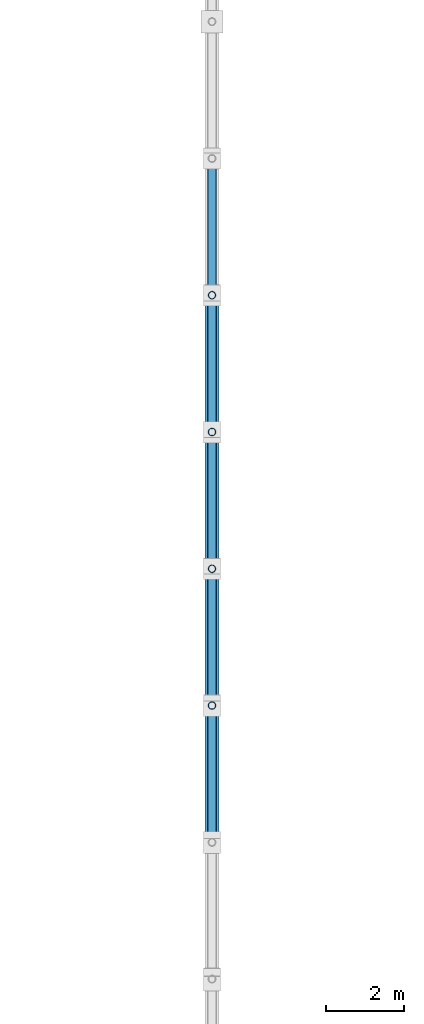
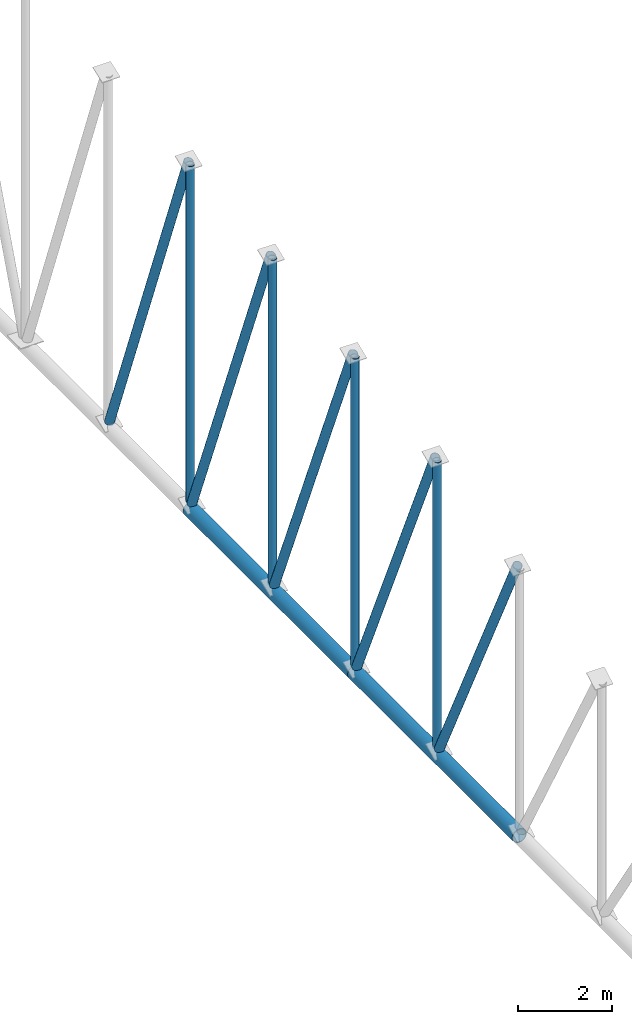
# One storey, part 70 of 196: 11 members.
"""IFC4 building model written with IfcOpenShell, lengths in metres."""

import ifcopenshell
import ifcopenshell.guid

model = None  # the IFC model being written
_history = None  # IfcOwnerHistory: only IFC2X3 demands one
_inside = {}  # id of a spatial element -> (the spatial element, [elements in it])
_under = {}  # id of a project, library or spatial element -> (it, [spatial elements below it])
_declared = {}  # id of a project -> (the project, [libraries it declares])
_typed = {}  # id of a type object -> (the type object, [elements of that type])
_made_of = {}  # id of a material, layer set ... -> (it, [elements and type objects made of it])


def new_model(schema):
    """Start an empty IFC model of exactly this schema.

    Asked for "IFC4X3", IfcOpenShell would pick the latest addendum, in which some entities
    have other attributes; the version numbers below select the first issue.
    IFC2X3 requires an IfcOwnerHistory on every rooted entity: one is made here for all.
    """
    global model, _history
    if schema == "IFC4X3":
        model = ifcopenshell.file(schema_version=(4, 3, 0, 0))
    else:
        model = ifcopenshell.file(schema=schema)
    _inside.clear()
    _under.clear()
    _declared.clear()
    _typed.clear()
    _made_of.clear()
    _history = None
    if model.schema == "IFC2X3":
        org = make("IfcOrganization", Name="unknown")
        user = make(
            "IfcPersonAndOrganization",
            ThePerson=make("IfcPerson", FamilyName="unknown"),
            TheOrganization=org,
        )
        app = make(
            "IfcApplication",
            ApplicationDeveloper=org,
            Version="unknown",
            ApplicationFullName="unknown",
            ApplicationIdentifier="unknown",
        )
        _history = make(
            "IfcOwnerHistory",
            OwningUser=user,
            OwningApplication=app,
            ChangeAction="ADDED",
            CreationDate=0,
        )
    return model


def make(cls, **values):
    """One entity of the class cls with the attributes given. An attribute that is None is left unset."""
    return model.create_entity(
        cls, **{name: value for name, value in values.items() if value is not None}
    )


def rooted(cls, **values):
    """An entity with a GlobalId (a new one), such as an element, a storey or a relation."""
    return make(cls, GlobalId=ifcopenshell.guid.new(), OwnerHistory=_history, **values)


def si_unit(unit_type, name, prefix=None):
    """IfcSIUnit, for example si_unit("LENGTHUNIT", "METRE", prefix="MILLI")."""
    return make("IfcSIUnit", UnitType=unit_type, Prefix=prefix, Name=name)


def assignment(units):
    """IfcUnitAssignment: the units of a project."""
    return None if units is None else make("IfcUnitAssignment", Units=units)


def point(xyz):
    """IfcCartesianPoint."""
    return None if xyz is None else make("IfcCartesianPoint", Coordinates=xyz)


def direction(xyz):
    """IfcDirection."""
    return None if xyz is None else make("IfcDirection", DirectionRatios=xyz)


def frame(location, z_axis=None, x_axis=None):
    """IfcAxis2Placement3D, a coordinate frame: its origin and axes. An axis left out is left unset."""
    return make(
        "IfcAxis2Placement3D",
        Location=point(location),
        Axis=direction(z_axis),
        RefDirection=direction(x_axis),
    )


def frame_2d(location, x_axis=None):
    """IfcAxis2Placement2D, a coordinate frame in the plane: its origin and x axis."""
    return make(
        "IfcAxis2Placement2D", Location=point(location), RefDirection=direction(x_axis)
    )


def origin():
    """The frame at (0, 0, 0) with its axes left unset."""
    return frame((0.0, 0.0, 0.0))


def origin_2d():
    """The frame at (0, 0) in the plane with its x axis left unset."""
    return frame_2d((0.0, 0.0))


def place(relative_to, where):
    """IfcLocalPlacement: puts the frame where relative to a parent placement (None: the world)."""
    return make(
        "IfcLocalPlacement", PlacementRelTo=relative_to, RelativePlacement=where
    )


def context(
    kind, dimensions, precision=None, world=None, true_north=None, identifier=None
):
    """IfcGeometricRepresentationContext, for example the 3D "Model" context."""
    return make(
        "IfcGeometricRepresentationContext",
        ContextIdentifier=identifier,
        ContextType=kind,
        CoordinateSpaceDimension=dimensions,
        Precision=precision,
        WorldCoordinateSystem=world,
        TrueNorth=true_north,
    )


def subcontext(parent, identifier, kind, view, scale=None):
    """IfcGeometricRepresentationSubContext, for example "Body" below "Model"."""
    return make(
        "IfcGeometricRepresentationSubContext",
        ContextIdentifier=identifier,
        ContextType=kind,
        ParentContext=parent,
        TargetScale=scale,
        TargetView=view,
    )


def project(units=None, contexts=None):
    """IfcProject with its units and contexts."""
    return rooted(
        "IfcProject",
        Name="project",
        RepresentationContexts=contexts,
        UnitsInContext=assignment(units),
    )


def spatial(cls, under=None, at=None, **own):
    """A site, building, storey or space (cls), placed at a placement, below another one or the project."""
    s = rooted(cls, ObjectPlacement=at, **own)
    if under is not None:
        _under.setdefault(under.id(), (under, []))[1].append(s)
    return s


def profile(cls, at=None, kind="AREA", **sizes):
    """A parametric profile (cls). Its sizes go by their IFC names, for example OverallWidth=200.0."""
    return make(cls, ProfileType=kind, Position=at, **sizes)


def hollow_circle(**sizes):
    """IfcCircleHollowProfileDef."""
    return profile("IfcCircleHollowProfileDef", **sizes)


def extrude(swept, where, along, depth):
    """IfcExtrudedAreaSolid: the profile swept, set in the frame where, extruded along a direction by depth."""
    return make(
        "IfcExtrudedAreaSolid",
        SweptArea=swept,
        Position=where,
        ExtrudedDirection=direction(along),
        Depth=depth,
    )


def shape(context_of_items, identifier, shape_type, items):
    """IfcShapeRepresentation: the items that make up one representation, for example the "Body"."""
    return make(
        "IfcShapeRepresentation",
        ContextOfItems=context_of_items,
        RepresentationIdentifier=identifier,
        RepresentationType=shape_type,
        Items=items,
    )


def material(Name=None, Category=None):
    """IfcMaterial."""
    return make("IfcMaterial", Name=Name, Category=Category)


def material_profile(
    of_material, cross_section, Name=None, Category=None, Priority=None
):
    """IfcMaterialProfile: a cross section and its material."""
    return make(
        "IfcMaterialProfile",
        Name=Name,
        Material=of_material,
        Profile=cross_section,
        Priority=Priority,
        Category=Category,
    )


def profile_set(profiles, Name=None, composite=None):
    """IfcMaterialProfileSet."""
    return make(
        "IfcMaterialProfileSet",
        Name=Name,
        MaterialProfiles=profiles,
        CompositeProfile=composite,
    )


def made_of(thing, what):
    """Note that an element or type object is made of a material, layer set ...; save() writes the relation."""
    if what is not None:
        _made_of.setdefault(what.id(), (what, []))[1].append(thing)
    return thing


def type_object(cls, material=None, **own):
    """A type object (cls), such as IfcWallType, which elements share."""
    return made_of(rooted(cls, **own), material)


def element(
    cls,
    number,
    at=None,
    inside=None,
    cuts=None,
    type_object=None,
    material=None,
    context=None,
    identifier="Body",
    shape_type=None,
    held_by="IfcProductDefinitionShape",
    body=None,
    shapes=None,
    **own,
):
    """One element of the class cls, such as IfcWall. Its Tag is "e" and its number.

    at: its placement. inside: the storey or other place that contains it. cuts: it is an
    opening in that element (IfcRelVoidsElement). A single representation is given by context,
    identifier, shape_type and body (its items); several are given by shapes. held_by: the class
    of the entity that holds the representations. save() writes the other relations.
    """
    e = rooted(cls, Tag="e%d" % number, ObjectPlacement=at, **own)
    if body is not None:
        shapes = [shape(context, identifier, shape_type, body)]
    if shapes is not None:
        e.Representation = make(held_by, Representations=shapes)
    if inside is not None:
        _inside.setdefault(inside.id(), (inside, []))[1].append(e)
    if cuts is not None:
        rooted(
            "IfcRelVoidsElement", RelatingBuildingElement=cuts, RelatedOpeningElement=e
        )
    if type_object is not None:
        _typed.setdefault(type_object.id(), (type_object, []))[1].append(e)
    return made_of(e, material)


def aggregate(whole, parts):
    """IfcRelAggregates: a whole, such as a stair, and the parts it consists of."""
    return rooted("IfcRelAggregates", RelatingObject=whole, RelatedObjects=parts)


def save(model, path):
    """Write the relations noted so far, then the file.

    IfcRelAggregates (storeys below a building ...), IfcRelContainedInSpatialStructure (elements
    in a storey), IfcRelDefinesByType, IfcRelAssociatesMaterial and IfcRelDeclares: one each for
    every whole, place, type object, material and project.
    """
    for whole, parts in _under.values():
        aggregate(whole, parts)
    for where, things in _inside.values():
        rooted(
            "IfcRelContainedInSpatialStructure",
            RelatedElements=things,
            RelatingStructure=where,
        )
    for kind, things in _typed.values():
        rooted("IfcRelDefinesByType", RelatedObjects=things, RelatingType=kind)
    for what, things in _made_of.values():
        rooted("IfcRelAssociatesMaterial", RelatedObjects=things, RelatingMaterial=what)
    for by, libraries in _declared.values():
        rooted("IfcRelDeclares", RelatingContext=by, RelatedDefinitions=libraries)
    model.write(path)


model = new_model("IFC4")

# Units and contexts
model_context = context("Model", 3, precision=1e-05, world=origin(), true_north=direction((0.0, 1.0)))
body_context = subcontext(model_context, "Body", "Model", "MODEL_VIEW")
ifc_project = project(units=[si_unit("LENGTHUNIT", "METRE"), si_unit("AREAUNIT", "SQUARE_METRE"), si_unit("VOLUMEUNIT", "CUBIC_METRE"), si_unit("PLANEANGLEUNIT", "RADIAN"), si_unit("MASSUNIT", "GRAM", prefix="KILO")], contexts=[model_context])

# Site, building, storey
site_placement = place(None, origin())
site = spatial("IfcSite", under=ifc_project, at=site_placement, CompositionType="ELEMENT")
building_placement = place(site_placement, origin())
building = spatial("IfcBuilding", under=site, at=building_placement, Name="Okhra Congress Centre", CompositionType="ELEMENT")
storey_placement = place(building_placement, frame((0.0, 0.0, 12.0)))
storey = spatial("IfcBuildingStorey", under=building, at=storey_placement, Name="L02", CompositionType="ELEMENT", Elevation=12.0)

# Members
ifc_material = material(Name="Steel S355J2H", Category="steel")
ifc_material_profile_1 = material_profile(ifc_material, hollow_circle(Radius=0.096923828125, WallThickness=0.008056640625, at=origin_2d()), Name="CHS 193.7x8.0")
ifc_profile_set_1 = profile_set([ifc_material_profile_1], Name="Steel S355J2H")
member_type_1 = type_object("IfcMemberType", Name="CHS 193.7x8.0", PredefinedType="POST", material=ifc_profile_set_1)
member_1_placement = place(storey_placement, frame((100.0, 156.5, 1.577880859375), z_axis=(0.0, 0.0, 1.0), x_axis=(1.0, 0.0, 0.0)))
element("IfcMember", 1, at=member_1_placement, inside=storey, type_object=member_type_1, Name="EH.MEM.L02.T5-VER-07", PredefinedType="POST", context=body_context, shape_type="SweptSolid", body=[
    extrude(hollow_circle(Radius=0.096923828125, WallThickness=0.008056640625, at=origin_2d()), origin(), (0.0, 0.0, 1.0), 7.448974609375),
])
member_2_placement = place(storey_placement, frame((100.0, 160.0, 1.577880859375), z_axis=(0.0, 0.0, 1.0), x_axis=(1.0, 0.0, 0.0)))
element("IfcMember", 2, at=member_2_placement, inside=storey, type_object=member_type_1, Name="EH.MEM.L02.T5-VER-08", PredefinedType="POST", context=body_context, shape_type="SweptSolid", body=[
    extrude(hollow_circle(Radius=0.096923828125, WallThickness=0.008056640625, at=origin_2d()), origin(), (0.0, 0.0, 1.0), 8.01708984375),
])
member_3_placement = place(storey_placement, frame((100.0, 163.5, 1.577880859375), z_axis=(0.0, 0.0, 1.0), x_axis=(1.0, 0.0, 0.0)))
element("IfcMember", 3, at=member_3_placement, inside=storey, type_object=member_type_1, Name="EH.MEM.L02.T5-VER-09", PredefinedType="POST", context=body_context, shape_type="SweptSolid", body=[
    extrude(hollow_circle(Radius=0.096923828125, WallThickness=0.008056640625, at=origin_2d()), origin(), (0.0, 0.0, 1.0), 8.456787109375),
])
member_4_placement = place(storey_placement, frame((100.0, 167.0, 1.577880859375), z_axis=(0.0, 0.0, 1.0), x_axis=(1.0, 0.0, 0.0)))
element("IfcMember", 4, at=member_4_placement, inside=storey, type_object=member_type_1, Name="EH.MEM.L02.T5-VER-10", PredefinedType="POST", context=body_context, shape_type="SweptSolid", body=[
    extrude(hollow_circle(Radius=0.096923828125, WallThickness=0.008056640625, at=origin_2d()), origin(), (0.0, 0.0, 1.0), 8.76953125),
])
ifc_material_profile_2 = material_profile(ifc_material, hollow_circle(Radius=0.109619140625, WallThickness=0.010009765625, at=origin_2d()), Name="CHS 219.1x10.0")
ifc_profile_set_2 = profile_set([ifc_material_profile_2], Name="Steel S355J2H")
member_type_2 = type_object("IfcMemberType", Name="CHS 219.1x10.0", PredefinedType="BRACE", material=ifc_profile_set_2)
member_5_placement = place(storey_placement, frame((100.0, 153.083740234375, 8.365234375), z_axis=(0.0, 0.440367038805, -0.897817838503), x_axis=(-1.0, 0.0, 0.0)))
element("IfcMember", 5, at=member_5_placement, inside=storey, type_object=member_type_2, Name="EH.MEM.L02.T5-DIA-06", PredefinedType="BRACE", context=body_context, shape_type="SweptSolid", body=[
    extrude(hollow_circle(Radius=0.109619140625, WallThickness=0.010009765625, at=origin_2d()), origin(), (0.0, 0.0, 1.0), 7.559814453125),
])
member_6_placement = place(storey_placement, frame((100.0, 156.57763671875, 9.0595703125), z_axis=(0.0, 0.407953800593, -0.913002572057), x_axis=(-1.0, 0.0, 0.0)))
element("IfcMember", 6, at=member_6_placement, inside=storey, type_object=member_type_2, Name="EH.MEM.L02.T5-DIA-07", PredefinedType="BRACE", context=body_context, shape_type="SweptSolid", body=[
    extrude(hollow_circle(Radius=0.109619140625, WallThickness=0.010009765625, at=origin_2d()), origin(), (0.0, 0.0, 1.0), 8.194580078125),
])
member_7_placement = place(storey_placement, frame((100.0, 160.073486328125, 9.6240234375), z_axis=(0.0, 0.384613395842, -0.92307775173), x_axis=(-1.0, 0.0, 0.0)))
element("IfcMember", 7, at=member_7_placement, inside=storey, type_object=member_type_2, Name="EH.MEM.L02.T5-DIA-08", PredefinedType="BRACE", context=body_context, shape_type="SweptSolid", body=[
    extrude(hollow_circle(Radius=0.109619140625, WallThickness=0.010009765625, at=origin_2d()), origin(), (0.0, 0.0, 1.0), 8.716552734375),
])
member_8_placement = place(storey_placement, frame((100.0, 163.570556640625, 10.060546875), z_axis=(0.0, 0.368181952794, -0.929753757528), x_axis=(-1.0, 0.0, 0.0)))
element("IfcMember", 8, at=member_8_placement, inside=storey, type_object=member_type_2, Name="EH.MEM.L02.T5-DIA-09", PredefinedType="BRACE", context=body_context, shape_type="SweptSolid", body=[
    extrude(hollow_circle(Radius=0.109619140625, WallThickness=0.010009765625, at=origin_2d()), origin(), (0.0, 0.0, 1.0), 9.12353515625),
])
member_9_placement = place(storey_placement, frame((100.0, 167.069091796875, 10.37060546875), z_axis=(0.0, 0.357217988255, -0.934021043054), x_axis=(-1.0, 0.0, 0.0)))
element("IfcMember", 9, at=member_9_placement, inside=storey, type_object=member_type_2, Name="EH.MEM.L02.T5-DIA-10", PredefinedType="BRACE", context=body_context, shape_type="SweptSolid", body=[
    extrude(hollow_circle(Radius=0.109619140625, WallThickness=0.010009765625, at=origin_2d()), origin(), (0.0, 0.0, 1.0), 9.413818359375),
])
ifc_material_profile_3 = material_profile(ifc_material, hollow_circle(Radius=0.177734375, WallThickness=0.01611328125, at=origin_2d()), Name="CHS 355.6x16.0")
ifc_profile_set_3 = profile_set([ifc_material_profile_3], Name="Steel S355J2H")
member_type_3 = type_object("IfcMemberType", Name="CHS 355.6x16.0", PredefinedType="CHORD", material=ifc_profile_set_3)
member_10_placement = place(storey_placement, frame((100.0, 153.0, 1.39990234375), z_axis=(0.0, 1.0, 0.0), x_axis=(-1.0, 0.0, 0.0)))
element("IfcMember", 10, at=member_10_placement, inside=storey, type_object=member_type_3, Name="EH.MEM.L02.T5-BOT-04", PredefinedType="CHORD", context=body_context, shape_type="SweptSolid", body=[
    extrude(hollow_circle(Radius=0.177734375, WallThickness=0.01611328125, at=origin_2d()), origin(), (0.0, 0.0, 1.0), 7.0),
])
ifc_material_profile_4 = material_profile(ifc_material, hollow_circle(Radius=0.177734375, WallThickness=0.02001953125, at=origin_2d()), Name="CHS 355.6x20.0")
ifc_profile_set_4 = profile_set([ifc_material_profile_4], Name="Steel S355J2H")
member_type_4 = type_object("IfcMemberType", Name="CHS 355.6x20.0", PredefinedType="CHORD", material=ifc_profile_set_4)
member_11_placement = place(storey_placement, frame((100.0, 160.0, 1.39990234375), z_axis=(0.0, 1.0, 0.0), x_axis=(-1.0, 0.0, 0.0)))
element("IfcMember", 11, at=member_11_placement, inside=storey, type_object=member_type_4, Name="EH.MEM.L02.T5-BOT-05", PredefinedType="CHORD", context=body_context, shape_type="SweptSolid", body=[
    extrude(hollow_circle(Radius=0.177734375, WallThickness=0.02001953125, at=origin_2d()), origin(), (0.0, 0.0, 1.0), 7.0),
])

save(model, "model.ifc")
